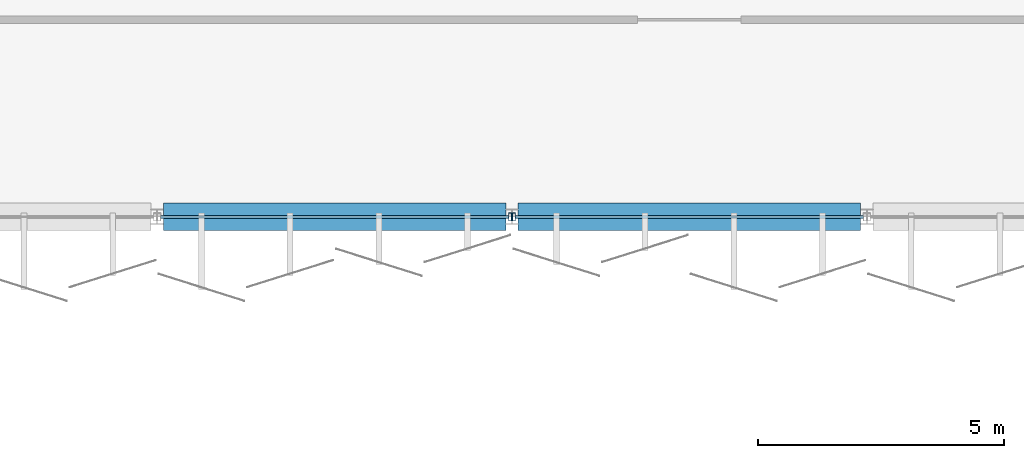
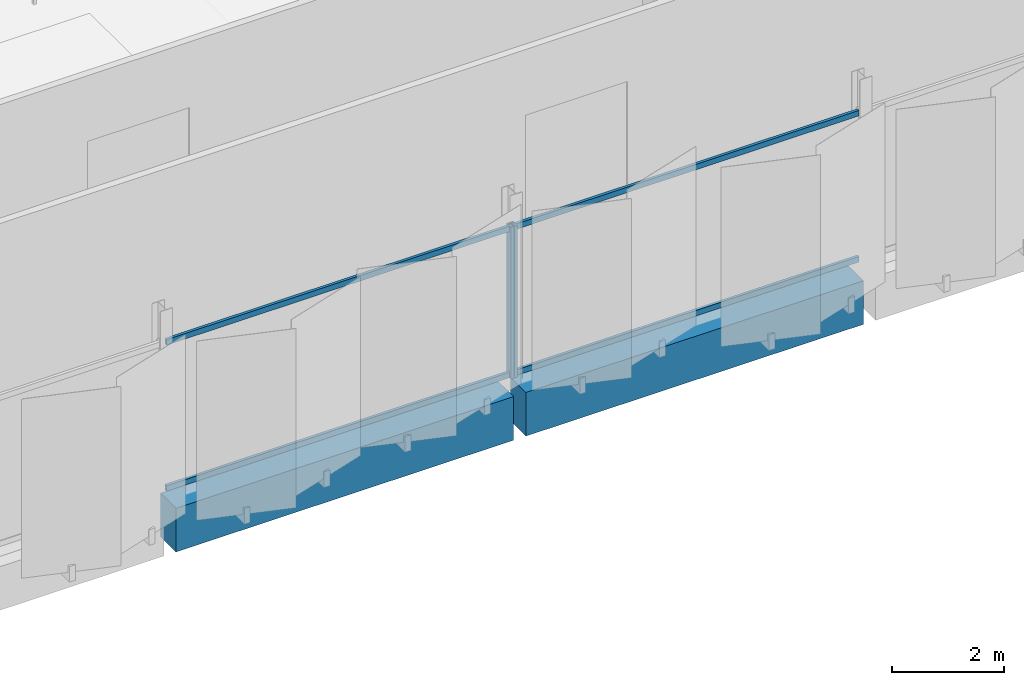
# One storey, part 25 of 77: 6 members, 2 beams, 2 elements without a shape of their own.
"""IFC4 building model written with IfcOpenShell, lengths in metres."""

import ifcopenshell
import ifcopenshell.guid

model = None  # the IFC model being written
_history = None  # IfcOwnerHistory: only IFC2X3 demands one
_inside = {}  # id of a spatial element -> (the spatial element, [elements in it])
_under = {}  # id of a project, library or spatial element -> (it, [spatial elements below it])
_declared = {}  # id of a project -> (the project, [libraries it declares])
_typed = {}  # id of a type object -> (the type object, [elements of that type])
_made_of = {}  # id of a material, layer set ... -> (it, [elements and type objects made of it])


def new_model(schema):
    """Start an empty IFC model of exactly this schema.

    Asked for "IFC4X3", IfcOpenShell would pick the latest addendum, in which some entities
    have other attributes; the version numbers below select the first issue.
    IFC2X3 requires an IfcOwnerHistory on every rooted entity: one is made here for all.
    """
    global model, _history
    if schema == "IFC4X3":
        model = ifcopenshell.file(schema_version=(4, 3, 0, 0))
    else:
        model = ifcopenshell.file(schema=schema)
    _inside.clear()
    _under.clear()
    _declared.clear()
    _typed.clear()
    _made_of.clear()
    _history = None
    if model.schema == "IFC2X3":
        org = make("IfcOrganization", Name="unknown")
        user = make(
            "IfcPersonAndOrganization",
            ThePerson=make("IfcPerson", FamilyName="unknown"),
            TheOrganization=org,
        )
        app = make(
            "IfcApplication",
            ApplicationDeveloper=org,
            Version="unknown",
            ApplicationFullName="unknown",
            ApplicationIdentifier="unknown",
        )
        _history = make(
            "IfcOwnerHistory",
            OwningUser=user,
            OwningApplication=app,
            ChangeAction="ADDED",
            CreationDate=0,
        )
    return model


def make(cls, **values):
    """One entity of the class cls with the attributes given. An attribute that is None is left unset."""
    return model.create_entity(
        cls, **{name: value for name, value in values.items() if value is not None}
    )


def rooted(cls, **values):
    """An entity with a GlobalId (a new one), such as an element, a storey or a relation."""
    return make(cls, GlobalId=ifcopenshell.guid.new(), OwnerHistory=_history, **values)


def si_unit(unit_type, name, prefix=None):
    """IfcSIUnit, for example si_unit("LENGTHUNIT", "METRE", prefix="MILLI")."""
    return make("IfcSIUnit", UnitType=unit_type, Prefix=prefix, Name=name)


def assignment(units):
    """IfcUnitAssignment: the units of a project."""
    return None if units is None else make("IfcUnitAssignment", Units=units)


def point(xyz):
    """IfcCartesianPoint."""
    return None if xyz is None else make("IfcCartesianPoint", Coordinates=xyz)


def direction(xyz):
    """IfcDirection."""
    return None if xyz is None else make("IfcDirection", DirectionRatios=xyz)


def frame(location, z_axis=None, x_axis=None):
    """IfcAxis2Placement3D, a coordinate frame: its origin and axes. An axis left out is left unset."""
    return make(
        "IfcAxis2Placement3D",
        Location=point(location),
        Axis=direction(z_axis),
        RefDirection=direction(x_axis),
    )


def frame_2d(location, x_axis=None):
    """IfcAxis2Placement2D, a coordinate frame in the plane: its origin and x axis."""
    return make(
        "IfcAxis2Placement2D", Location=point(location), RefDirection=direction(x_axis)
    )


def origin():
    """The frame at (0, 0, 0) with its axes left unset."""
    return frame((0.0, 0.0, 0.0))


def origin_2d():
    """The frame at (0, 0) in the plane with its x axis left unset."""
    return frame_2d((0.0, 0.0))


def place(relative_to, where):
    """IfcLocalPlacement: puts the frame where relative to a parent placement (None: the world)."""
    return make(
        "IfcLocalPlacement", PlacementRelTo=relative_to, RelativePlacement=where
    )


def context(
    kind, dimensions, precision=None, world=None, true_north=None, identifier=None
):
    """IfcGeometricRepresentationContext, for example the 3D "Model" context."""
    return make(
        "IfcGeometricRepresentationContext",
        ContextIdentifier=identifier,
        ContextType=kind,
        CoordinateSpaceDimension=dimensions,
        Precision=precision,
        WorldCoordinateSystem=world,
        TrueNorth=true_north,
    )


def subcontext(parent, identifier, kind, view, scale=None):
    """IfcGeometricRepresentationSubContext, for example "Body" below "Model"."""
    return make(
        "IfcGeometricRepresentationSubContext",
        ContextIdentifier=identifier,
        ContextType=kind,
        ParentContext=parent,
        TargetScale=scale,
        TargetView=view,
    )


def project(units=None, contexts=None):
    """IfcProject with its units and contexts."""
    return rooted(
        "IfcProject",
        Name="project",
        RepresentationContexts=contexts,
        UnitsInContext=assignment(units),
    )


def spatial(cls, under=None, at=None, **own):
    """A site, building, storey or space (cls), placed at a placement, below another one or the project."""
    s = rooted(cls, ObjectPlacement=at, **own)
    if under is not None:
        _under.setdefault(under.id(), (under, []))[1].append(s)
    return s


def profile(cls, at=None, kind="AREA", **sizes):
    """A parametric profile (cls). Its sizes go by their IFC names, for example OverallWidth=200.0."""
    return make(cls, ProfileType=kind, Position=at, **sizes)


def rectangle(**sizes):
    """IfcRectangleProfileDef."""
    return profile("IfcRectangleProfileDef", **sizes)


def hollow_rectangle(**sizes):
    """IfcRectangleHollowProfileDef."""
    return profile("IfcRectangleHollowProfileDef", **sizes)


def extrude(swept, where, along, depth):
    """IfcExtrudedAreaSolid: the profile swept, set in the frame where, extruded along a direction by depth."""
    return make(
        "IfcExtrudedAreaSolid",
        SweptArea=swept,
        Position=where,
        ExtrudedDirection=direction(along),
        Depth=depth,
    )


def shape(context_of_items, identifier, shape_type, items):
    """IfcShapeRepresentation: the items that make up one representation, for example the "Body"."""
    return make(
        "IfcShapeRepresentation",
        ContextOfItems=context_of_items,
        RepresentationIdentifier=identifier,
        RepresentationType=shape_type,
        Items=items,
    )


def material(Name=None, Category=None):
    """IfcMaterial."""
    return make("IfcMaterial", Name=Name, Category=Category)


def layer(
    of_material, thickness, ventilated=None, Name=None, Category=None, Priority=None
):
    """IfcMaterialLayer: one layer of a wall or slab, of a material (None: an air gap)."""
    return make(
        "IfcMaterialLayer",
        Material=of_material,
        LayerThickness=thickness,
        IsVentilated=ventilated,
        Name=Name,
        Category=Category,
        Priority=Priority,
    )


def layer_set(layers, Name=None):
    """IfcMaterialLayerSet."""
    return make("IfcMaterialLayerSet", MaterialLayers=layers, LayerSetName=Name)


def material_profile(
    of_material, cross_section, Name=None, Category=None, Priority=None
):
    """IfcMaterialProfile: a cross section and its material."""
    return make(
        "IfcMaterialProfile",
        Name=Name,
        Material=of_material,
        Profile=cross_section,
        Priority=Priority,
        Category=Category,
    )


def profile_set(profiles, Name=None, composite=None):
    """IfcMaterialProfileSet."""
    return make(
        "IfcMaterialProfileSet",
        Name=Name,
        MaterialProfiles=profiles,
        CompositeProfile=composite,
    )


def made_of(thing, what):
    """Note that an element or type object is made of a material, layer set ...; save() writes the relation."""
    if what is not None:
        _made_of.setdefault(what.id(), (what, []))[1].append(thing)
    return thing


def type_object(cls, material=None, **own):
    """A type object (cls), such as IfcWallType, which elements share."""
    return made_of(rooted(cls, **own), material)


def element(
    cls,
    number,
    at=None,
    inside=None,
    cuts=None,
    type_object=None,
    material=None,
    context=None,
    identifier="Body",
    shape_type=None,
    held_by="IfcProductDefinitionShape",
    body=None,
    shapes=None,
    **own,
):
    """One element of the class cls, such as IfcWall. Its Tag is "e" and its number.

    at: its placement. inside: the storey or other place that contains it. cuts: it is an
    opening in that element (IfcRelVoidsElement). A single representation is given by context,
    identifier, shape_type and body (its items); several are given by shapes. held_by: the class
    of the entity that holds the representations. save() writes the other relations.
    """
    e = rooted(cls, Tag="e%d" % number, ObjectPlacement=at, **own)
    if body is not None:
        shapes = [shape(context, identifier, shape_type, body)]
    if shapes is not None:
        e.Representation = make(held_by, Representations=shapes)
    if inside is not None:
        _inside.setdefault(inside.id(), (inside, []))[1].append(e)
    if cuts is not None:
        rooted(
            "IfcRelVoidsElement", RelatingBuildingElement=cuts, RelatedOpeningElement=e
        )
    if type_object is not None:
        _typed.setdefault(type_object.id(), (type_object, []))[1].append(e)
    return made_of(e, material)


def aggregate(whole, parts):
    """IfcRelAggregates: a whole, such as a stair, and the parts it consists of."""
    return rooted("IfcRelAggregates", RelatingObject=whole, RelatedObjects=parts)


def save(model, path):
    """Write the relations noted so far, then the file.

    IfcRelAggregates (storeys below a building ...), IfcRelContainedInSpatialStructure (elements
    in a storey), IfcRelDefinesByType, IfcRelAssociatesMaterial and IfcRelDeclares: one each for
    every whole, place, type object, material and project.
    """
    for whole, parts in _under.values():
        aggregate(whole, parts)
    for where, things in _inside.values():
        rooted(
            "IfcRelContainedInSpatialStructure",
            RelatedElements=things,
            RelatingStructure=where,
        )
    for kind, things in _typed.values():
        rooted("IfcRelDefinesByType", RelatedObjects=things, RelatingType=kind)
    for what, things in _made_of.values():
        rooted("IfcRelAssociatesMaterial", RelatedObjects=things, RelatingMaterial=what)
    for by, libraries in _declared.values():
        rooted("IfcRelDeclares", RelatingContext=by, RelatedDefinitions=libraries)
    model.write(path)


model = new_model("IFC4")

# Units and contexts
model_context = context("Model", 3, precision=1e-05, world=origin(), true_north=direction((0.0, 1.0)))
body_context = subcontext(model_context, "Body", "Model", "MODEL_VIEW")
ifc_project = project(units=[si_unit("LENGTHUNIT", "METRE"), si_unit("AREAUNIT", "SQUARE_METRE"), si_unit("VOLUMEUNIT", "CUBIC_METRE"), si_unit("PLANEANGLEUNIT", "RADIAN"), si_unit("MASSUNIT", "GRAM", prefix="KILO")], contexts=[model_context])

# Site, building, storey
site_placement = place(None, origin())
site = spatial("IfcSite", under=ifc_project, at=site_placement, CompositionType="ELEMENT")
building_placement = place(site_placement, origin())
building = spatial("IfcBuilding", under=site, at=building_placement, Name="Kangsadwip Square Police Headquarters", CompositionType="ELEMENT")
storey_placement = place(building_placement, frame((0.0, 0.0, 17.550048828125)))
storey = spatial("IfcBuildingStorey", under=building, at=storey_placement, Name="L04", CompositionType="ELEMENT", Elevation=17.550048828125)

# Curtain wall, member
ifc_material_1 = material(Name="Thermally broken anodised aluminium AW-6063-T6", Category="aluminium")
ifc_layer = layer(ifc_material_1, 0.159912109375)
ifc_layer_set = layer_set([ifc_layer], Name="Thermally broken anodised aluminium AW-6063-T6")
curtain_wall_type = type_object("IfcCurtainWallType", Name="CourtScreen7180x3300", PredefinedType="USERDEFINED", material=ifc_layer_set)
curtain_wall_1_placement = place(storey_placement, origin())
curtain_wall_1 = element("IfcCurtainWall", 1, at=curtain_wall_1_placement, inside=storey, type_object=curtain_wall_type, Name="Curtain Wall CW-L04-1152-0936", ObjectType="GLAZED_SCREEN", PredefinedType="USERDEFINED")
ifc_material_2 = material(Name="Thermally broken anodised aluminium AW-6063-T6", Category="aluminium")
ifc_material_profile_1 = material_profile(ifc_material_2, hollow_rectangle(XDim=0.06005859375, YDim=0.159912109375, WallThickness=0.00390625, at=origin_2d()), Name="CWM 160X60X4")
ifc_profile_set_1 = profile_set([ifc_material_profile_1], Name="Thermally broken anodised aluminium AW-6063-T6")
member_type_1 = type_object("IfcMemberType", Name="CwMullion135x60", PredefinedType="MULLION", material=ifc_profile_set_1)
member_1_placement = place(storey_placement, frame((122.360107421875, 93.60009765625, 0.0), z_axis=(0.0, 0.0, 1.0), x_axis=(1.0, 0.0, 0.0)))
member_1 = element("IfcMember", 2, at=member_1_placement, type_object=member_type_1, Name="CW-42 mullion 2", PredefinedType="MULLION", context=body_context, shape_type="SweptSolid", body=[
    extrude(hollow_rectangle(XDim=0.06005859375, YDim=0.159912109375, WallThickness=0.00390625, at=origin_2d()), origin(), (0.0, 0.0, 1.0), 3.300048828125),
])

curtain_wall_2_placement = place(storey_placement, origin())
curtain_wall_2 = element("IfcCurtainWall", 3, at=curtain_wall_2_placement, inside=storey, type_object=curtain_wall_type, Name="Curtain Wall CW-L04-1224-0936", ObjectType="GLAZED_SCREEN", PredefinedType="USERDEFINED")
member_2_placement = place(storey_placement, frame((122.43994140625, 93.60009765625, 0.0), z_axis=(0.0, 0.0, 1.0), x_axis=(1.0, 0.0, 0.0)))
member_2 = element("IfcMember", 4, at=member_2_placement, type_object=member_type_1, Name="CW-42 mullion 1", PredefinedType="MULLION", context=body_context, shape_type="SweptSolid", body=[
    extrude(hollow_rectangle(XDim=0.06005859375, YDim=0.159912109375, WallThickness=0.00390625, at=origin_2d()), origin(), (0.0, 0.0, 1.0), 3.300048828125),
])

# Member
ifc_material_3 = material(Name="Thermally broken anodised aluminium AW-6063-T6", Category="aluminium")
ifc_material_profile_2 = material_profile(ifc_material_3, hollow_rectangle(XDim=0.06005859375, YDim=0.1201171875, WallThickness=0.00390625, at=origin_2d()), Name="CWT 120X60X4")
ifc_profile_set_2 = profile_set([ifc_material_profile_2], Name="Thermally broken anodised aluminium AW-6063-T6")
member_type_2 = type_object("IfcMemberType", Name="CwTransom120x55", PredefinedType="USERDEFINED", material=ifc_profile_set_2)
member_3_placement = place(storey_placement, frame((115.27001953125, 93.60009765625, 0.06005859375), z_axis=(1.0, 0.0, 0.0), x_axis=(0.0, 1.0, 0.0)))
member_3 = element("IfcMember", 5, at=member_3_placement, type_object=member_type_2, Name="CW-42 transom 1.1", ObjectType="TRANSOM", PredefinedType="USERDEFINED", context=body_context, shape_type="SweptSolid", body=[
    extrude(hollow_rectangle(XDim=0.06005859375, YDim=0.1201171875, WallThickness=0.00390625, at=origin_2d()), origin(), (0.0, 0.0, 1.0), 7.06005859375),
])

member_4_placement = place(storey_placement, frame((115.27001953125, 93.60009765625, 3.239990234375), z_axis=(1.0, 0.0, 0.0), x_axis=(0.0, 1.0, 0.0)))
member_4 = element("IfcMember", 6, at=member_4_placement, type_object=member_type_2, Name="CW-42 transom 1.2", ObjectType="TRANSOM", PredefinedType="USERDEFINED", context=body_context, shape_type="SweptSolid", body=[
    extrude(hollow_rectangle(XDim=0.06005859375, YDim=0.1201171875, WallThickness=0.00390625, at=origin_2d()), origin(), (0.0, 0.0, 1.0), 7.06005859375),
])

aggregate(curtain_wall_1, [member_1, member_3, member_4])

member_5_placement = place(storey_placement, frame((122.469970703125, 93.60009765625, 0.06005859375), z_axis=(1.0, 0.0, 0.0), x_axis=(0.0, 1.0, 0.0)))
member_5 = element("IfcMember", 7, at=member_5_placement, type_object=member_type_2, Name="CW-42 transom 1.1", ObjectType="TRANSOM", PredefinedType="USERDEFINED", context=body_context, shape_type="SweptSolid", body=[
    extrude(hollow_rectangle(XDim=0.06005859375, YDim=0.1201171875, WallThickness=0.00390625, at=origin_2d()), origin(), (0.0, 0.0, 1.0), 7.06005859375),
])

member_6_placement = place(storey_placement, frame((122.469970703125, 93.60009765625, 3.239990234375), z_axis=(1.0, 0.0, 0.0), x_axis=(0.0, 1.0, 0.0)))
member_6 = element("IfcMember", 8, at=member_6_placement, type_object=member_type_2, Name="CW-42 transom 1.2", ObjectType="TRANSOM", PredefinedType="USERDEFINED", context=body_context, shape_type="SweptSolid", body=[
    extrude(hollow_rectangle(XDim=0.06005859375, YDim=0.1201171875, WallThickness=0.00390625, at=origin_2d()), origin(), (0.0, 0.0, 1.0), 7.06005859375),
])

aggregate(curtain_wall_2, [member_2, member_5, member_6])

# Beams
ifc_material_4 = material(Name="Concrete M40 (40 MPa)", Category="concrete")
ifc_material_profile_3 = material_profile(ifc_material_4, rectangle(XDim=0.550048828125, YDim=0.949951171875, at=origin_2d()), Name="RC TG 950X550")
ifc_profile_set_3 = profile_set([ifc_material_profile_3], Name="Concrete M40 (40 MPa)")
beam_type = type_object("IfcBeamType", Name="RcTransfer950x550", PredefinedType="USERDEFINED", material=ifc_profile_set_3)
beam_1_placement = place(storey_placement, frame((115.324951171875, 93.60009765625, -0.715087890625), z_axis=(1.0, 0.0, 0.0), x_axis=(0.0, 1.0, 0.0)))
element("IfcBeam", 9, at=beam_1_placement, inside=storey, type_object=beam_type, Name="Beam BM-L04-X-16-13", ObjectType="TRANSFER_GIRDER", PredefinedType="USERDEFINED", context=body_context, shape_type="SweptSolid", body=[
    extrude(rectangle(XDim=0.550048828125, YDim=0.949951171875, at=origin_2d()), origin(), (0.0, 0.0, 1.0), 6.949951171875),
])
beam_2_placement = place(storey_placement, frame((122.52490234375, 93.60009765625, -0.715087890625), z_axis=(1.0, 0.0, 0.0), x_axis=(0.0, 1.0, 0.0)))
element("IfcBeam", 10, at=beam_2_placement, inside=storey, type_object=beam_type, Name="Beam BM-L04-X-17-13", ObjectType="TRANSFER_GIRDER", PredefinedType="USERDEFINED", context=body_context, shape_type="SweptSolid", body=[
    extrude(rectangle(XDim=0.550048828125, YDim=0.949951171875, at=origin_2d()), origin(), (0.0, 0.0, 1.0), 6.9501953125),
])

save(model, "model.ifc")
